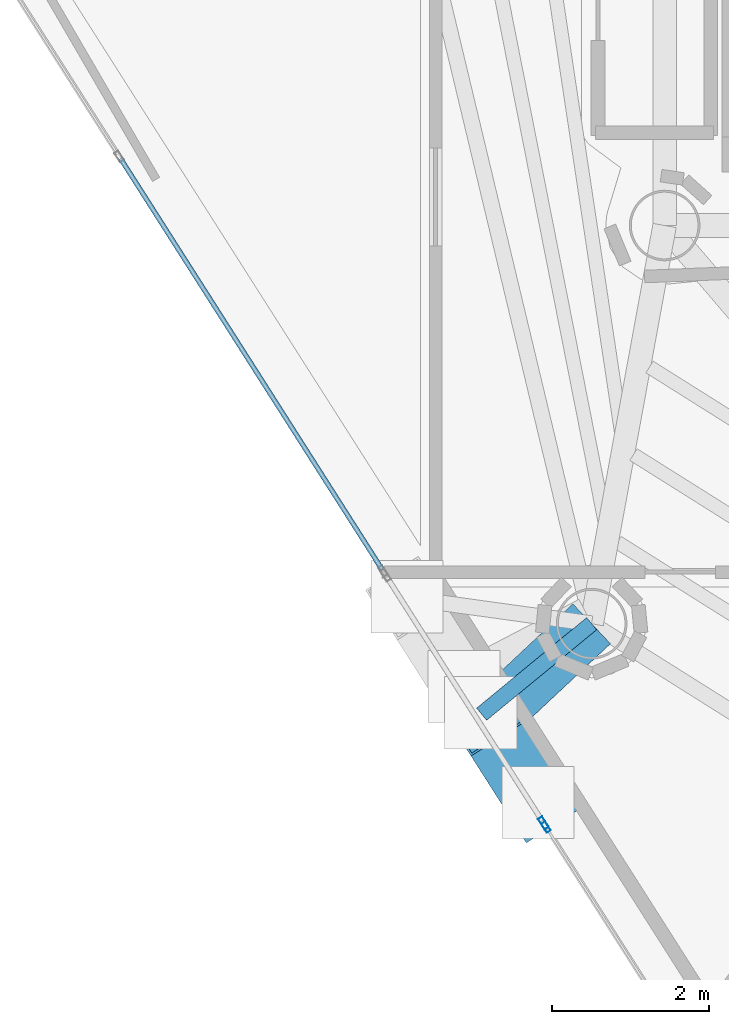
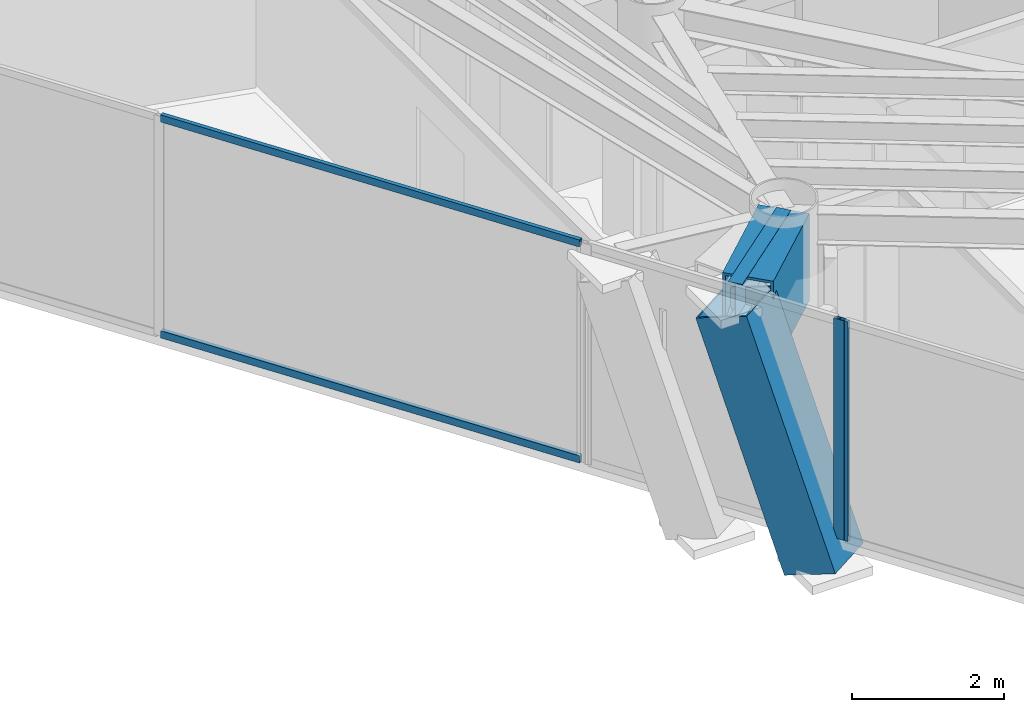
# One storey, part 3 of 25: 5 members, 2 beams, 3 elements without a shape of their own.
"""IFC4 building model written with IfcOpenShell, lengths in metres."""

import ifcopenshell
import ifcopenshell.guid

model = None  # the IFC model being written
_history = None  # IfcOwnerHistory: only IFC2X3 demands one
_inside = {}  # id of a spatial element -> (the spatial element, [elements in it])
_under = {}  # id of a project, library or spatial element -> (it, [spatial elements below it])
_declared = {}  # id of a project -> (the project, [libraries it declares])
_typed = {}  # id of a type object -> (the type object, [elements of that type])
_made_of = {}  # id of a material, layer set ... -> (it, [elements and type objects made of it])


def new_model(schema):
    """Start an empty IFC model of exactly this schema.

    Asked for "IFC4X3", IfcOpenShell would pick the latest addendum, in which some entities
    have other attributes; the version numbers below select the first issue.
    IFC2X3 requires an IfcOwnerHistory on every rooted entity: one is made here for all.
    """
    global model, _history
    if schema == "IFC4X3":
        model = ifcopenshell.file(schema_version=(4, 3, 0, 0))
    else:
        model = ifcopenshell.file(schema=schema)
    _inside.clear()
    _under.clear()
    _declared.clear()
    _typed.clear()
    _made_of.clear()
    _history = None
    if model.schema == "IFC2X3":
        org = make("IfcOrganization", Name="unknown")
        user = make(
            "IfcPersonAndOrganization",
            ThePerson=make("IfcPerson", FamilyName="unknown"),
            TheOrganization=org,
        )
        app = make(
            "IfcApplication",
            ApplicationDeveloper=org,
            Version="unknown",
            ApplicationFullName="unknown",
            ApplicationIdentifier="unknown",
        )
        _history = make(
            "IfcOwnerHistory",
            OwningUser=user,
            OwningApplication=app,
            ChangeAction="ADDED",
            CreationDate=0,
        )
    return model


def make(cls, **values):
    """One entity of the class cls with the attributes given. An attribute that is None is left unset."""
    return model.create_entity(
        cls, **{name: value for name, value in values.items() if value is not None}
    )


def rooted(cls, **values):
    """An entity with a GlobalId (a new one), such as an element, a storey or a relation."""
    return make(cls, GlobalId=ifcopenshell.guid.new(), OwnerHistory=_history, **values)


def si_unit(unit_type, name, prefix=None):
    """IfcSIUnit, for example si_unit("LENGTHUNIT", "METRE", prefix="MILLI")."""
    return make("IfcSIUnit", UnitType=unit_type, Prefix=prefix, Name=name)


def assignment(units):
    """IfcUnitAssignment: the units of a project."""
    return None if units is None else make("IfcUnitAssignment", Units=units)


def point(xyz):
    """IfcCartesianPoint."""
    return None if xyz is None else make("IfcCartesianPoint", Coordinates=xyz)


def direction(xyz):
    """IfcDirection."""
    return None if xyz is None else make("IfcDirection", DirectionRatios=xyz)


def frame(location, z_axis=None, x_axis=None):
    """IfcAxis2Placement3D, a coordinate frame: its origin and axes. An axis left out is left unset."""
    return make(
        "IfcAxis2Placement3D",
        Location=point(location),
        Axis=direction(z_axis),
        RefDirection=direction(x_axis),
    )


def frame_2d(location, x_axis=None):
    """IfcAxis2Placement2D, a coordinate frame in the plane: its origin and x axis."""
    return make(
        "IfcAxis2Placement2D", Location=point(location), RefDirection=direction(x_axis)
    )


def origin():
    """The frame at (0, 0, 0) with its axes left unset."""
    return frame((0.0, 0.0, 0.0))


def origin_2d():
    """The frame at (0, 0) in the plane with its x axis left unset."""
    return frame_2d((0.0, 0.0))


def place(relative_to, where):
    """IfcLocalPlacement: puts the frame where relative to a parent placement (None: the world)."""
    return make(
        "IfcLocalPlacement", PlacementRelTo=relative_to, RelativePlacement=where
    )


def context(
    kind, dimensions, precision=None, world=None, true_north=None, identifier=None
):
    """IfcGeometricRepresentationContext, for example the 3D "Model" context."""
    return make(
        "IfcGeometricRepresentationContext",
        ContextIdentifier=identifier,
        ContextType=kind,
        CoordinateSpaceDimension=dimensions,
        Precision=precision,
        WorldCoordinateSystem=world,
        TrueNorth=true_north,
    )


def subcontext(parent, identifier, kind, view, scale=None):
    """IfcGeometricRepresentationSubContext, for example "Body" below "Model"."""
    return make(
        "IfcGeometricRepresentationSubContext",
        ContextIdentifier=identifier,
        ContextType=kind,
        ParentContext=parent,
        TargetScale=scale,
        TargetView=view,
    )


def project(units=None, contexts=None):
    """IfcProject with its units and contexts."""
    return rooted(
        "IfcProject",
        Name="project",
        RepresentationContexts=contexts,
        UnitsInContext=assignment(units),
    )


def spatial(cls, under=None, at=None, **own):
    """A site, building, storey or space (cls), placed at a placement, below another one or the project."""
    s = rooted(cls, ObjectPlacement=at, **own)
    if under is not None:
        _under.setdefault(under.id(), (under, []))[1].append(s)
    return s


def profile(cls, at=None, kind="AREA", **sizes):
    """A parametric profile (cls). Its sizes go by their IFC names, for example OverallWidth=200.0."""
    return make(cls, ProfileType=kind, Position=at, **sizes)


def hollow_rectangle(**sizes):
    """IfcRectangleHollowProfileDef."""
    return profile("IfcRectangleHollowProfileDef", **sizes)


def i_section(**sizes):
    """IfcIShapeProfileDef."""
    return profile("IfcIShapeProfileDef", **sizes)


def extrude(swept, where, along, depth):
    """IfcExtrudedAreaSolid: the profile swept, set in the frame where, extruded along a direction by depth."""
    return make(
        "IfcExtrudedAreaSolid",
        SweptArea=swept,
        Position=where,
        ExtrudedDirection=direction(along),
        Depth=depth,
    )


def shape(context_of_items, identifier, shape_type, items):
    """IfcShapeRepresentation: the items that make up one representation, for example the "Body"."""
    return make(
        "IfcShapeRepresentation",
        ContextOfItems=context_of_items,
        RepresentationIdentifier=identifier,
        RepresentationType=shape_type,
        Items=items,
    )


def material(Name=None, Category=None):
    """IfcMaterial."""
    return make("IfcMaterial", Name=Name, Category=Category)


def layer(
    of_material, thickness, ventilated=None, Name=None, Category=None, Priority=None
):
    """IfcMaterialLayer: one layer of a wall or slab, of a material (None: an air gap)."""
    return make(
        "IfcMaterialLayer",
        Material=of_material,
        LayerThickness=thickness,
        IsVentilated=ventilated,
        Name=Name,
        Category=Category,
        Priority=Priority,
    )


def layer_set(layers, Name=None):
    """IfcMaterialLayerSet."""
    return make("IfcMaterialLayerSet", MaterialLayers=layers, LayerSetName=Name)


def material_profile(
    of_material, cross_section, Name=None, Category=None, Priority=None
):
    """IfcMaterialProfile: a cross section and its material."""
    return make(
        "IfcMaterialProfile",
        Name=Name,
        Material=of_material,
        Profile=cross_section,
        Priority=Priority,
        Category=Category,
    )


def profile_set(profiles, Name=None, composite=None):
    """IfcMaterialProfileSet."""
    return make(
        "IfcMaterialProfileSet",
        Name=Name,
        MaterialProfiles=profiles,
        CompositeProfile=composite,
    )


def made_of(thing, what):
    """Note that an element or type object is made of a material, layer set ...; save() writes the relation."""
    if what is not None:
        _made_of.setdefault(what.id(), (what, []))[1].append(thing)
    return thing


def type_object(cls, material=None, **own):
    """A type object (cls), such as IfcWallType, which elements share."""
    return made_of(rooted(cls, **own), material)


def element(
    cls,
    number,
    at=None,
    inside=None,
    cuts=None,
    type_object=None,
    material=None,
    context=None,
    identifier="Body",
    shape_type=None,
    held_by="IfcProductDefinitionShape",
    body=None,
    shapes=None,
    **own,
):
    """One element of the class cls, such as IfcWall. Its Tag is "e" and its number.

    at: its placement. inside: the storey or other place that contains it. cuts: it is an
    opening in that element (IfcRelVoidsElement). A single representation is given by context,
    identifier, shape_type and body (its items); several are given by shapes. held_by: the class
    of the entity that holds the representations. save() writes the other relations.
    """
    e = rooted(cls, Tag="e%d" % number, ObjectPlacement=at, **own)
    if body is not None:
        shapes = [shape(context, identifier, shape_type, body)]
    if shapes is not None:
        e.Representation = make(held_by, Representations=shapes)
    if inside is not None:
        _inside.setdefault(inside.id(), (inside, []))[1].append(e)
    if cuts is not None:
        rooted(
            "IfcRelVoidsElement", RelatingBuildingElement=cuts, RelatedOpeningElement=e
        )
    if type_object is not None:
        _typed.setdefault(type_object.id(), (type_object, []))[1].append(e)
    return made_of(e, material)


def aggregate(whole, parts):
    """IfcRelAggregates: a whole, such as a stair, and the parts it consists of."""
    return rooted("IfcRelAggregates", RelatingObject=whole, RelatedObjects=parts)


def save(model, path):
    """Write the relations noted so far, then the file.

    IfcRelAggregates (storeys below a building ...), IfcRelContainedInSpatialStructure (elements
    in a storey), IfcRelDefinesByType, IfcRelAssociatesMaterial and IfcRelDeclares: one each for
    every whole, place, type object, material and project.
    """
    for whole, parts in _under.values():
        aggregate(whole, parts)
    for where, things in _inside.values():
        rooted(
            "IfcRelContainedInSpatialStructure",
            RelatedElements=things,
            RelatingStructure=where,
        )
    for kind, things in _typed.values():
        rooted("IfcRelDefinesByType", RelatedObjects=things, RelatingType=kind)
    for what, things in _made_of.values():
        rooted("IfcRelAssociatesMaterial", RelatedObjects=things, RelatingMaterial=what)
    for by, libraries in _declared.values():
        rooted("IfcRelDeclares", RelatingContext=by, RelatedDefinitions=libraries)
    model.write(path)


model = new_model("IFC4")

# Units and contexts
model_context = context("Model", 3, precision=1e-05, world=origin(), true_north=direction((0.0, 1.0)))
body_context = subcontext(model_context, "Body", "Model", "MODEL_VIEW")
ifc_project = project(units=[si_unit("LENGTHUNIT", "METRE"), si_unit("AREAUNIT", "SQUARE_METRE"), si_unit("VOLUMEUNIT", "CUBIC_METRE"), si_unit("PLANEANGLEUNIT", "RADIAN"), si_unit("MASSUNIT", "GRAM", prefix="KILO")], contexts=[model_context])

# Site, building, storey
site_placement = place(None, origin())
site = spatial("IfcSite", under=ifc_project, at=site_placement, CompositionType="ELEMENT")
building_placement = place(site_placement, origin())
building = spatial("IfcBuilding", under=site, at=building_placement, Name="Qianvela Tower", CompositionType="ELEMENT")
storey_placement = place(building_placement, frame((0.0, 0.0, 295.39990234375)))
storey = spatial("IfcBuildingStorey", under=building, at=storey_placement, Name="L76", CompositionType="ELEMENT", Elevation=295.39990234375)

# Beams
ifc_material_1 = material(Name="Steel Q355B", Category="steel")
ifc_material_profile_1 = material_profile(ifc_material_1, i_section(OverallWidth=0.199951171875, OverallDepth=0.60009765625, WebThickness=0.010986328125, FlangeThickness=0.01708984375, at=origin_2d()), Name="HN600x200x11x17")
ifc_profile_set_1 = profile_set([ifc_material_profile_1], Name="Steel Q355B")
beam_type_1 = type_object("IfcBeamType", Name="BM-HN600-GIRD", PredefinedType="BEAM", material=ifc_profile_set_1)
beam_1_placement = place(storey_placement, frame((27.669921875, 18.77392578125, 3.218017578125), z_axis=(-0.77232583648, -0.635226575566, 0.0), x_axis=(0.635226575566, -0.77232583648, 0.0)))
element("IfcBeam", 1, at=beam_1_placement, inside=storey, type_object=beam_type_1, Name="L76 Mega-Brace Column Tie Bracket F2-2", PredefinedType="BEAM", context=body_context, shape_type="SweptSolid", body=[
    extrude(i_section(OverallWidth=0.199951171875, OverallDepth=0.60009765625, WebThickness=0.010986328125, FlangeThickness=0.01708984375, at=origin_2d()), origin(), (0.0, 0.0, 1.0), 1.81640625),
])
ifc_material_2 = material(Name="Steel Q420GJC", Category="steel")
ifc_material_profile_2 = material_profile(ifc_material_2, hollow_rectangle(XDim=0.699951171875, YDim=1.39990234375, WallThickness=0.0400390625, at=origin_2d()), Name="TG-BOX-1400x700x40")
ifc_profile_set_2 = profile_set([ifc_material_profile_2], Name="Steel Q420GJC")
beam_type_2 = type_object("IfcBeamType", Name="BM-TG-STEP-1400", PredefinedType="BEAM", material=ifc_profile_set_2)
beam_2_placement = place(storey_placement, frame((27.669921875, 18.77392578125, 2.815185546875), z_axis=(-0.729710461979, -0.683756273593, 0.0), x_axis=(0.683756273593, -0.729710461979, 0.0)))
element("IfcBeam", 2, at=beam_2_placement, inside=storey, type_object=beam_type_2, Name="L76 Mega-Brace Zone Base Bracket F2-2", PredefinedType="BEAM", context=body_context, shape_type="SweptSolid", body=[
    extrude(hollow_rectangle(XDim=0.699951171875, YDim=1.39990234375, WallThickness=0.0400390625, at=origin_2d()), origin(), (0.0, 0.0, 1.0), 1.625732421875),
])

# Curtain wall, member
ifc_material_3 = material(Name="Anodised Architectural Aluminium and Insulated Spandrel Panel", Category="aluminium")
ifc_layer_1 = layer(ifc_material_3, 0.179931640625)
ifc_layer_set_1 = layer_set([ifc_layer_1], Name="Anodised Architectural Aluminium and Insulated Spandrel Panel")
curtain_wall_type_1 = type_object("IfcCurtainWallType", Name="CW-BRACEBAY", PredefinedType="USERDEFINED", material=ifc_layer_set_1)
curtain_wall_1_placement = place(storey_placement, origin())
curtain_wall_1 = element("IfcCurtainWall", 3, at=curtain_wall_1_placement, inside=storey, type_object=curtain_wall_type_1, Name="L76 CW-BRACEBAY Curtain Wall 04B", ObjectType="CURTAIN_WALL_SYSTEM", PredefinedType="USERDEFINED")
ifc_material_4 = material(Name="Anodised Architectural Aluminium 6063-T6", Category="aluminium")
ifc_material_profile_3 = material_profile(ifc_material_4, hollow_rectangle(XDim=0.06494140625, YDim=0.159912109375, WallThickness=0.0048828125, at=origin_2d()), Name="ALU-MULL-65x160")
ifc_profile_set_3 = profile_set([ifc_material_profile_3], Name="Anodised Architectural Aluminium 6063-T6")
member_type_1 = type_object("IfcMemberType", Name="CW-BRACEBAY-MULL", PredefinedType="MULLION", material=ifc_profile_set_3)
member_1_placement = place(storey_placement, frame((27.0546875, 16.23388671875, 0.0), z_axis=(0.0, 0.0, 1.0), x_axis=(0.84358258531, 0.536999461603, 0.0)))
member_1 = element("IfcMember", 4, at=member_1_placement, type_object=member_type_1, Name="CW-9 mullion 2", PredefinedType="MULLION", context=body_context, shape_type="SweptSolid", body=[
    extrude(hollow_rectangle(XDim=0.06494140625, YDim=0.159912109375, WallThickness=0.0048828125, at=origin_2d()), origin(), (0.0, 0.0, 1.0), 3.52001953125),
])
aggregate(curtain_wall_1, [member_1])

ifc_material_5 = material(Name="Anodised Architectural Aluminium and Low-E Glass", Category="aluminium")
ifc_layer_2 = layer(ifc_material_5, 0.14990234375)
ifc_layer_set_2 = layer_set([ifc_layer_2], Name="Anodised Architectural Aluminium and Low-E Glass")
curtain_wall_type_2 = type_object("IfcCurtainWallType", Name="CW-COLIV-Z78", PredefinedType="USERDEFINED", material=ifc_layer_set_2)
curtain_wall_2_placement = place(storey_placement, origin())
curtain_wall_2 = element("IfcCurtainWall", 5, at=curtain_wall_2_placement, inside=storey, type_object=curtain_wall_type_2, Name="L76 CW-COLIV-Z78 Curtain Wall 04C", ObjectType="CURTAIN_WALL_SYSTEM", PredefinedType="USERDEFINED")
ifc_material_6 = material(Name="Anodised Architectural Aluminium 6063-T6", Category="aluminium")
ifc_material_profile_4 = material_profile(ifc_material_6, hollow_rectangle(XDim=0.06005859375, YDim=0.139892578125, WallThickness=0.00439453125, at=origin_2d()), Name="ALU-MULL-60x140")
ifc_profile_set_4 = profile_set([ifc_material_profile_4], Name="Anodised Architectural Aluminium 6063-T6")
member_type_2 = type_object("IfcMemberType", Name="CW-COLIV-Z78-MULL", PredefinedType="MULLION", material=ifc_profile_set_4)
member_2_placement = place(storey_placement, frame((27.088134765625, 16.18115234375, 0.0), z_axis=(0.0, 0.0, 1.0), x_axis=(0.843580437278, 0.537002835971, 0.0)))
member_2 = element("IfcMember", 6, at=member_2_placement, type_object=member_type_2, Name="CW-6 mullion 1", PredefinedType="MULLION", context=body_context, shape_type="SweptSolid", body=[
    extrude(hollow_rectangle(XDim=0.06005859375, YDim=0.139892578125, WallThickness=0.00439453125, at=origin_2d()), origin(), (0.0, 0.0, 1.0), 3.52001953125),
])
aggregate(curtain_wall_2, [member_2])

# Curtain wall, members
curtain_wall_3_placement = place(storey_placement, origin())
curtain_wall_3 = element("IfcCurtainWall", 7, at=curtain_wall_3_placement, inside=storey, type_object=curtain_wall_type_2, Name="L76 CW-COLIV-Z78 Curtain Wall 04A", ObjectType="CURTAIN_WALL_SYSTEM", PredefinedType="USERDEFINED")
ifc_material_7 = material(Name="Anodised Architectural Aluminium 6063-T6", Category="aluminium")
ifc_material_profile_5 = material_profile(ifc_material_7, hollow_rectangle(XDim=0.06005859375, YDim=0.114990234375, WallThickness=0.00390625, at=origin_2d()), Name="ALU-TRAN-60x115")
ifc_profile_set_5 = profile_set([ifc_material_profile_5], Name="Anodised Architectural Aluminium 6063-T6")
member_type_3 = type_object("IfcMemberType", Name="CW-COLIV-Z78-TRAN", PredefinedType="USERDEFINED", material=ifc_profile_set_5)
member_3_placement = place(storey_placement, frame((21.661865234375, 24.70556640625, 0.030029296875), z_axis=(0.536997691401, -0.843583712165, 0.0), x_axis=(0.843583712165, 0.536997691401, 0.0)))
member_3 = element("IfcMember", 8, at=member_3_placement, type_object=member_type_3, Name="CW-6 transom 2.1", ObjectType="TRANSOM", PredefinedType="USERDEFINED", context=body_context, shape_type="SweptSolid", body=[
    extrude(hollow_rectangle(XDim=0.06005859375, YDim=0.114990234375, WallThickness=0.00390625, at=origin_2d()), origin(), (0.0, 0.0, 1.0), 6.204833984375),
])
member_4_placement = place(storey_placement, frame((21.661865234375, 24.70556640625, 3.489990234375), z_axis=(0.536997691401, -0.843583712165, 0.0), x_axis=(0.843583712165, 0.536997691401, 0.0)))
member_4 = element("IfcMember", 9, at=member_4_placement, type_object=member_type_3, Name="CW-6 transom 2.2", ObjectType="TRANSOM", PredefinedType="USERDEFINED", context=body_context, shape_type="SweptSolid", body=[
    extrude(hollow_rectangle(XDim=0.06005859375, YDim=0.114990234375, WallThickness=0.00390625, at=origin_2d()), origin(), (0.0, 0.0, 1.0), 6.204833984375),
])
aggregate(curtain_wall_3, [member_3, member_4])

# Member
ifc_material_8 = material(Name="Steel Q420GJC", Category="steel")
ifc_material_profile_6 = material_profile(ifc_material_8, hollow_rectangle(XDim=0.800048828125, YDim=0.800048828125, WallThickness=0.028076171875, at=origin_2d()), Name="MBOX-800x800x28")
ifc_profile_set_6 = profile_set([ifc_material_profile_6], Name="Steel Q420GJC")
member_type_4 = type_object("IfcMemberType", Name="MBR-MBRACE-800", PredefinedType="BRACE", material=ifc_profile_set_6)
member_5_placement = place(storey_placement, frame((26.971923828125, 16.5126953125, -0.48193359375), z_axis=(-0.17953365964, 0.282079903058, 0.942442885987), x_axis=(-0.843623194773, -0.536935662105, 0.0)))
element("IfcMember", 10, at=member_5_placement, inside=storey, type_object=member_type_4, Name="L76 Tier 12 Exterior Mega-Brace F2B", PredefinedType="BRACE", context=body_context, shape_type="SweptSolid", body=[
    extrude(hollow_rectangle(XDim=0.800048828125, YDim=0.800048828125, WallThickness=0.028076171875, at=origin_2d()), origin(), (0.0, 0.0, 1.0), 3.926025390625),
])

save(model, "model.ifc")
